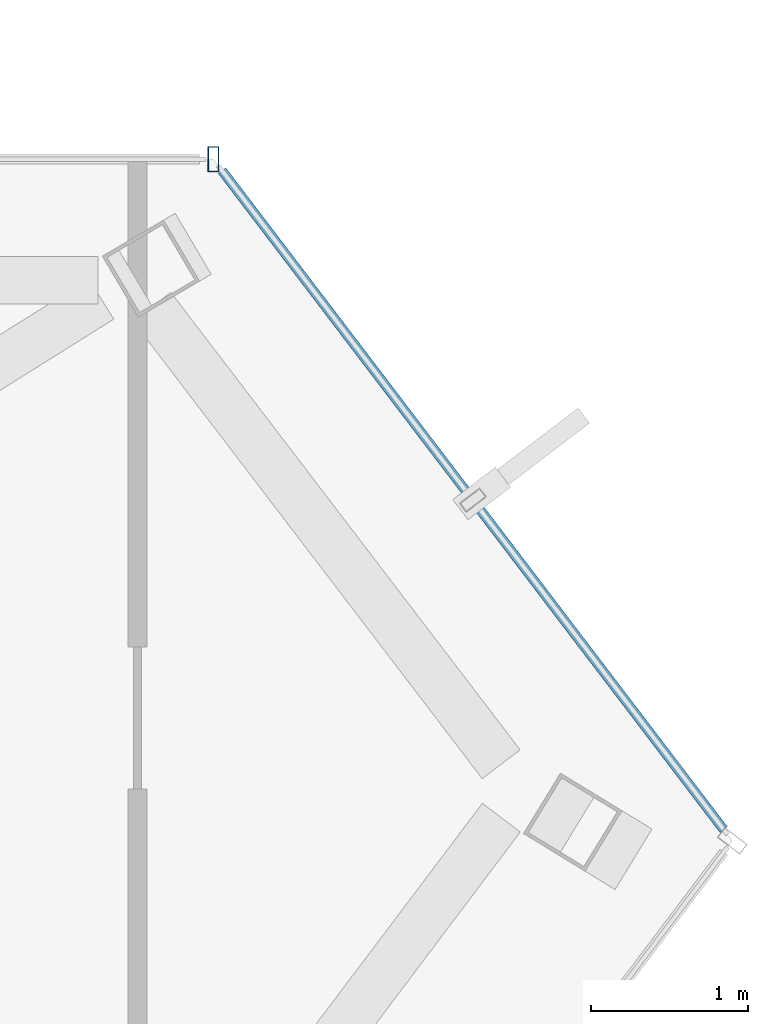
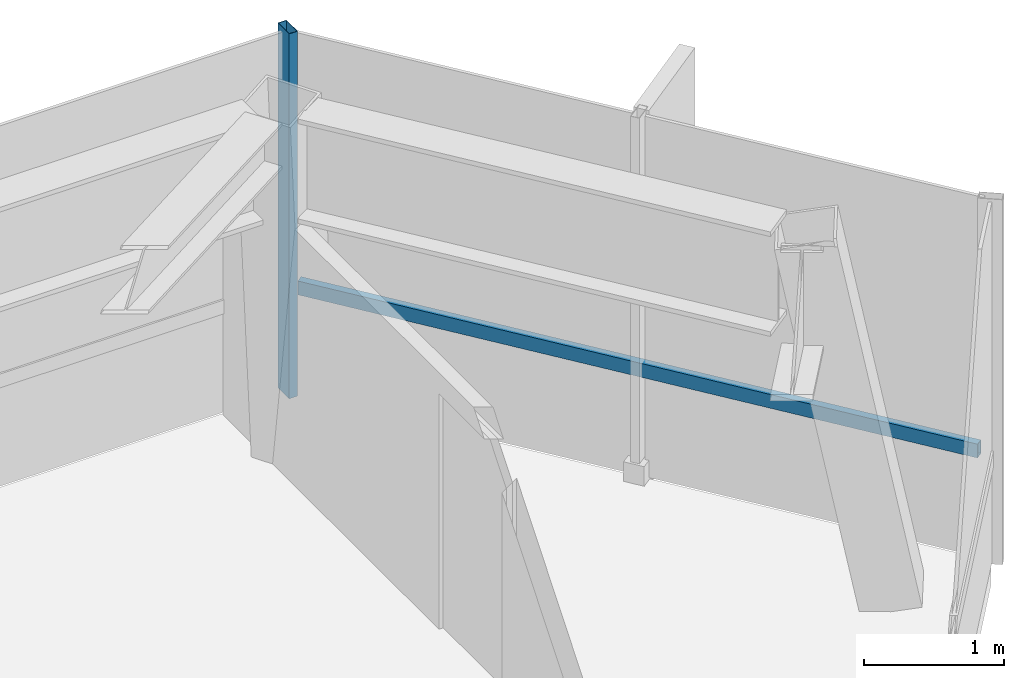
# One storey, part 17 of 21: 2 members, 2 elements without a shape of their own.
"""IFC4 building model written with IfcOpenShell, lengths in metres."""

from ifc_helpers import new_model, si_unit, direction, frame, origin, origin_2d, place, context, subcontext, project, spatial, hollow_rectangle, extrude, material, layer, layer_set, material_profile, profile_set, type_object, element, aggregate, save


model = new_model("IFC4")

# Units and contexts
model_context = context("Model", 3, precision=1e-05, world=origin(), true_north=direction((0.0, 1.0)))
body_context = subcontext(model_context, "Body", "Model", "MODEL_VIEW")
ifc_project = project(units=[si_unit("LENGTHUNIT", "METRE"), si_unit("AREAUNIT", "SQUARE_METRE"), si_unit("VOLUMEUNIT", "CUBIC_METRE"), si_unit("PLANEANGLEUNIT", "RADIAN"), si_unit("MASSUNIT", "GRAM", prefix="KILO")], contexts=[model_context])

# Site, building, storey
site_placement = place(None, origin())
site = spatial("IfcSite", under=ifc_project, at=site_placement, CompositionType="ELEMENT")
building_placement = place(site_placement, origin())
building = spatial("IfcBuilding", under=site, at=building_placement, Name="Zarrinselat Tower", CompositionType="ELEMENT")
storey_placement = place(building_placement, frame((0.0, 0.0, 285.60009765625)))
storey = spatial("IfcBuildingStorey", under=building, at=storey_placement, Name="L73", CompositionType="ELEMENT", Elevation=285.60009765625)

# Curtain wall, member
ifc_material_1 = material(Name="Extruded Aluminium Alloy EN AW-6063 T6", Category="aluminium")
ifc_layer = layer(ifc_material_1, 0.169921875)
ifc_layer_set = layer_set([ifc_layer], Name="Extruded Aluminium Alloy EN AW-6063 T6")
curtain_wall_type = type_object("IfcCurtainWallType", Name="CWS-RES", PredefinedType="NOTDEFINED", material=ifc_layer_set)
curtain_wall_1_placement = place(storey_placement, origin())
curtain_wall_1 = element("IfcCurtainWall", 1, at=curtain_wall_1_placement, inside=storey, type_object=curtain_wall_type, Name="L73 Unitised Curtain Wall CW-L73-E01", PredefinedType="NOTDEFINED")
ifc_material_2 = material(Name="Extruded Aluminium Alloy EN AW-6063 T6", Category="aluminium")
ifc_material_profile_1 = material_profile(ifc_material_2, hollow_rectangle(XDim=0.070068359375, YDim=0.159912109375, WallThickness=0.00390625, at=origin_2d()), Name="RHS 160x70x4")
ifc_profile_set_1 = profile_set([ifc_material_profile_1], Name="Extruded Aluminium Alloy EN AW-6063 T6")
member_type_1 = type_object("IfcMemberType", Name="MEM-CW-MUL2", PredefinedType="MULLION", material=ifc_profile_set_1)
member_1_placement = place(storey_placement, frame((56.955322265625, 47.63330078125, 0.0), z_axis=(0.0, 0.0, 1.0), x_axis=(-1.0, 0.0, 0.0)))
member_1 = element("IfcMember", 2, at=member_1_placement, type_object=member_type_1, Name="CW-L73-E01 Mullion 0", PredefinedType="MULLION", context=body_context, shape_type="SweptSolid", body=[
    extrude(hollow_rectangle(XDim=0.070068359375, YDim=0.159912109375, WallThickness=0.00390625, at=origin_2d()), origin(), (0.0, 0.0, 1.0), 3.179931640625),
])
aggregate(curtain_wall_1, [member_1])

curtain_wall_2_placement = place(storey_placement, origin())
curtain_wall_2 = element("IfcCurtainWall", 3, at=curtain_wall_2_placement, inside=storey, type_object=curtain_wall_type, Name="L73 Unitised Curtain Wall CW-L73-E06", PredefinedType="NOTDEFINED")
ifc_material_3 = material(Name="Extruded Aluminium Alloy EN AW-6063 T6", Category="aluminium")
ifc_material_profile_2 = material_profile(ifc_material_3, hollow_rectangle(XDim=0.06005859375, YDim=0.1201171875, WallThickness=0.00390625, at=origin_2d()), Name="RHS 120x60x4")
ifc_profile_set_2 = profile_set([ifc_material_profile_2], Name="Extruded Aluminium Alloy EN AW-6063 T6")
member_type_2 = type_object("IfcMemberType", Name="MEM-CW-TRN2", PredefinedType="USERDEFINED", material=ifc_profile_set_2)
member_2_placement = place(storey_placement, frame((60.19580078125, 43.377197265625, 0.949951171875), z_axis=(-0.605748063656, 0.795656510925, 0.0), x_axis=(-0.795656510925, -0.605748063656, 0.0)))
member_2 = element("IfcMember", 4, at=member_2_placement, type_object=member_type_2, Name="CW-L73-E06 Transom 1", ObjectType="TRANSOM", PredefinedType="USERDEFINED", context=body_context, shape_type="SweptSolid", body=[
    extrude(hollow_rectangle(XDim=0.06005859375, YDim=0.1201171875, WallThickness=0.00390625, at=origin_2d()), origin(), (0.0, 0.0, 1.0), 5.25927734375),
])
aggregate(curtain_wall_2, [member_2])

save(model, "model.ifc")
